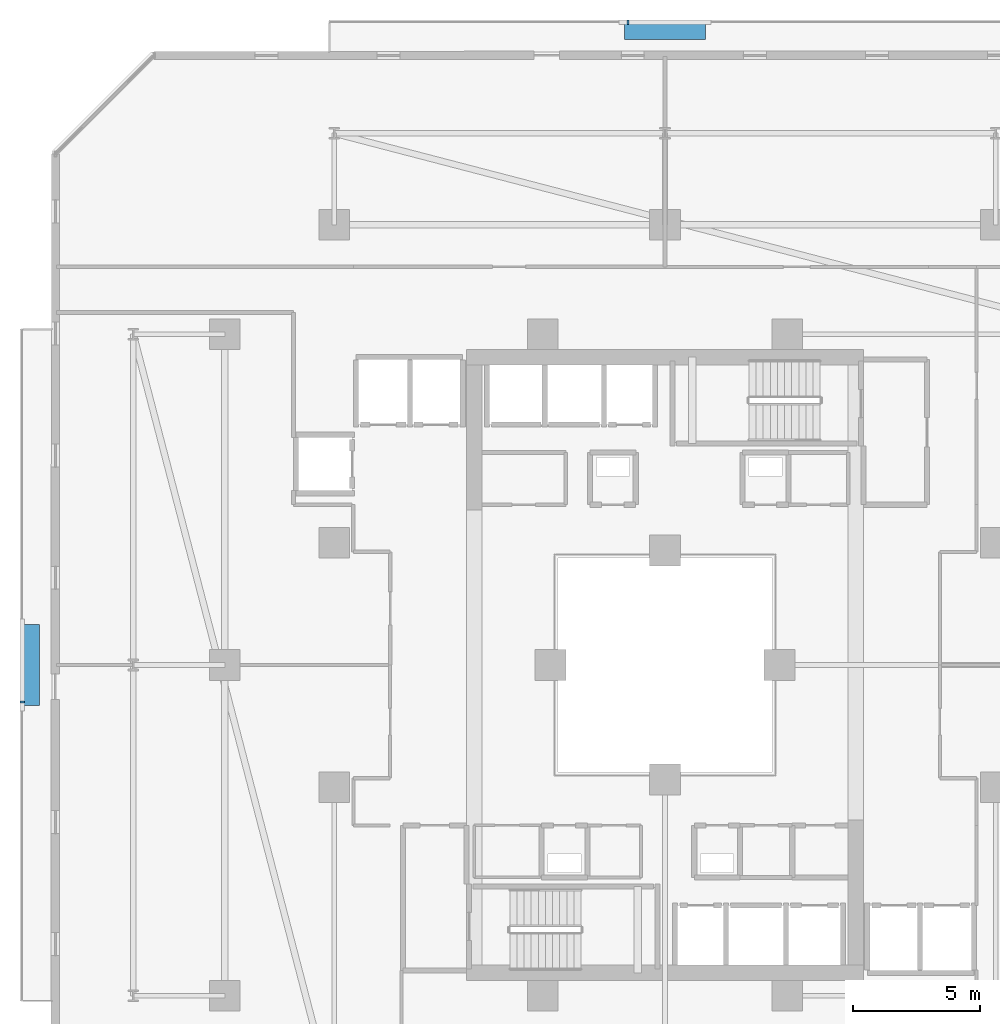
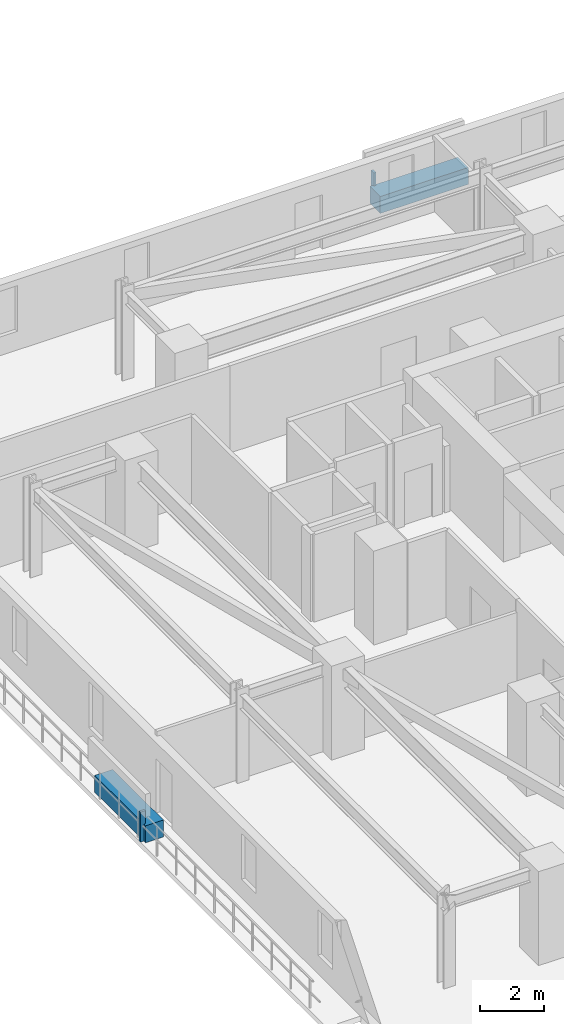
# One storey, part 28 of 33: 4 discrete accessories.
"""IFC4 building model written with IfcOpenShell, lengths in metres."""

from ifc_helpers import new_model, si_unit, direction, frame, origin, origin_2d, place, context, subcontext, project, spatial, rectangle, extrude, material, type_object, element, save


model = new_model("IFC4")

# Units and contexts
model_context = context("Model", 3, precision=1e-05, world=origin(), true_north=direction((0.0, 1.0)))
body_context = subcontext(model_context, "Body", "Model", "MODEL_VIEW")
ifc_project = project(units=[si_unit("LENGTHUNIT", "METRE"), si_unit("AREAUNIT", "SQUARE_METRE"), si_unit("VOLUMEUNIT", "CUBIC_METRE"), si_unit("PLANEANGLEUNIT", "RADIAN"), si_unit("MASSUNIT", "GRAM", prefix="KILO")], contexts=[model_context])

# Site, building, storey
site_placement = place(None, origin())
site = spatial("IfcSite", under=ifc_project, at=site_placement, CompositionType="ELEMENT")
building_placement = place(site_placement, origin())
building = spatial("IfcBuilding", under=site, at=building_placement, Name="Thornwick Lancets Civic Towers", CompositionType="ELEMENT")
storey_placement = place(building_placement, frame((0.0, 0.0, 101.699951171875)))
storey = spatial("IfcBuildingStorey", under=building, at=storey_placement, Name="L26", CompositionType="ELEMENT", Elevation=101.699951171875)

# Discrete accessories
ifc_material_1 = material(Name="Planted terracotta greenery planter", Category="masonry")
discrete_accessory_type_1 = type_object("IfcDiscreteAccessoryType", Name="ACC_PLANTER_BOX", PredefinedType="USERDEFINED", material=ifc_material_1)
discrete_accessory_1_placement = place(storey_placement, frame((25.5, 51.89990234375, 0.0), z_axis=(0.0, 0.0, 1.0), x_axis=(1.0, 0.0, 0.0)))
element("IfcDiscreteAccessory", 1, at=discrete_accessory_1_placement, inside=storey, type_object=discrete_accessory_type_1, Name="L26 Tower A Balcony Greenery Planter N", ObjectType="PLANTER", PredefinedType="USERDEFINED", context=body_context, shape_type="SweptSolid", body=[
    extrude(rectangle(XDim=3.199951171875, YDim=0.64990234375, at=origin_2d()), origin(), (0.0, 0.0, 1.0), 0.64990234375),
])
discrete_accessory_2_placement = place(storey_placement, frame((0.60009765625, 27.0, 0.0), z_axis=(0.0, 0.0, 1.0), x_axis=(1.0, 0.0, 0.0)))
element("IfcDiscreteAccessory", 2, at=discrete_accessory_2_placement, inside=storey, type_object=discrete_accessory_type_1, Name="L26 Tower A Balcony Greenery Planter W", ObjectType="PLANTER", PredefinedType="USERDEFINED", context=body_context, shape_type="SweptSolid", body=[
    extrude(rectangle(XDim=0.64990234375, YDim=3.199951171875, at=origin_2d()), origin(), (0.0, 0.0, 1.0), 0.64990234375),
])
ifc_material_2 = material(Name="Stainless steel S355", Category="steel")
discrete_accessory_type_2 = type_object("IfcDiscreteAccessoryType", Name="ACC_SCREEN_BRACKET", PredefinedType="BRACKET", material=ifc_material_2)
for number, where, z_axis, x_axis, name in (
    (3, (24.050048828125, 52.260009765625, 0.0), (0.0, 0.0, 1.0), (1.0, 0.0, 0.0), "L26 Tower A Balcony Screen Stanchion Bracket N-1"),
    (4, (0.239990234375, 25.550048828125, 0.0), (0.0, 0.0, 1.0), (0.0, 1.0, 0.0), "L26 Tower A Balcony Screen Stanchion Bracket W-1"),
):
    element("IfcDiscreteAccessory", number, at=place(storey_placement, frame(where, z_axis=z_axis, x_axis=x_axis)), inside=storey, type_object=discrete_accessory_type_2, Name=name, PredefinedType="BRACKET", context=body_context, shape_type="SweptSolid", body=[
        extrude(rectangle(XDim=0.080078125, YDim=0.179931640625, at=origin_2d()), origin(), (0.0, 0.0, 1.0), 1.14990234375),
    ])

save(model, "model.ifc")
